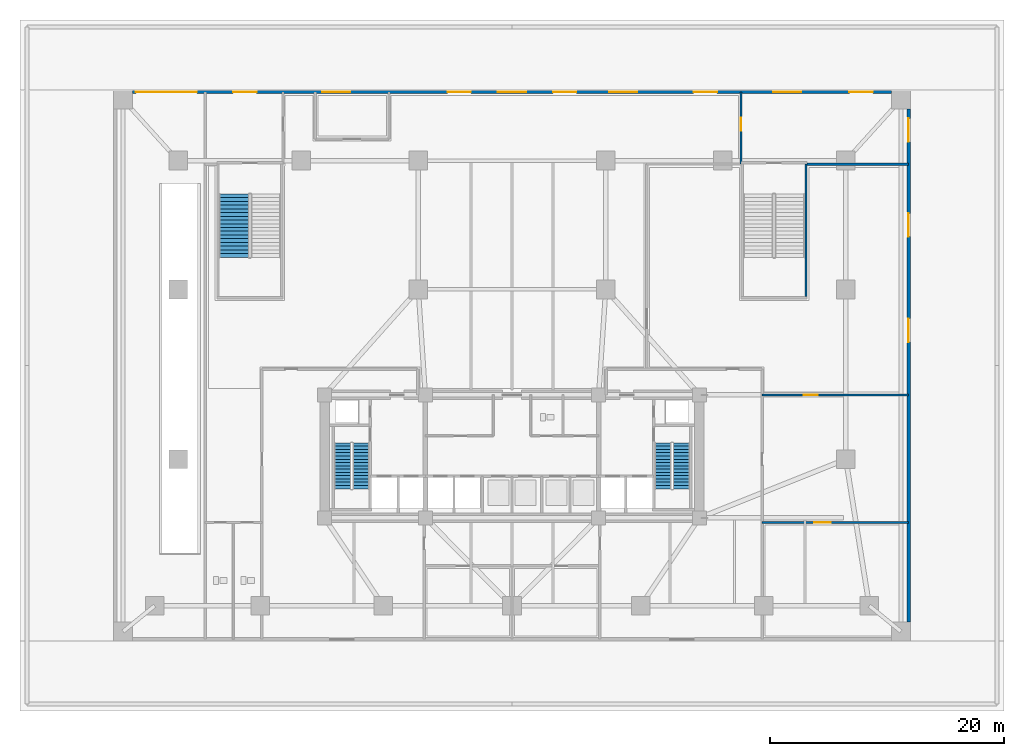
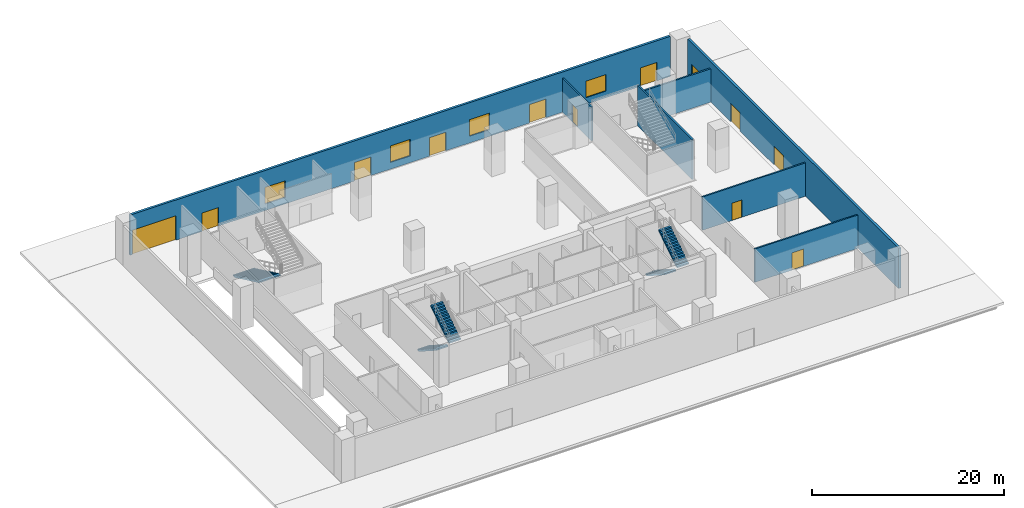
# One storey, part 7 of 15: 12 doors, 7 walls, 5 stair flights, 4 windows, 16 openings, 3 elements without a shape of their own.
"""IFC4 building model written with IfcOpenShell, lengths in metres."""

from ifc_helpers import new_model, si_unit, direction, frame, frame_2d, origin, place, context, subcontext, project, spatial, polyline, rectangle, outline, extrude, material, layer, layer_set, type_object, element, fill, aggregate, save


model = new_model("IFC4")

# Units and contexts
model_context = context("Model", 3, precision=1e-05, world=origin(), true_north=direction((0.0, 1.0)))
body_context = subcontext(model_context, "Body", "Model", "MODEL_VIEW")
ifc_project = project(units=[si_unit("LENGTHUNIT", "METRE"), si_unit("AREAUNIT", "SQUARE_METRE"), si_unit("VOLUMEUNIT", "CUBIC_METRE"), si_unit("PLANEANGLEUNIT", "RADIAN"), si_unit("MASSUNIT", "GRAM", prefix="KILO")], contexts=[model_context])

# Site, building, storey
site_placement = place(None, origin())
site = spatial("IfcSite", under=ifc_project, at=site_placement, CompositionType="ELEMENT")
building_placement = place(site_placement, origin())
building = spatial("IfcBuilding", under=site, at=building_placement, Name="Solmavex Isthmus Hotel", CompositionType="ELEMENT")
storey_placement = place(building_placement, origin())
storey = spatial("IfcBuildingStorey", under=building, at=storey_placement, Name="L01", CompositionType="ELEMENT", Elevation=0.0)

# Wall, openings, doors, windows
ifc_material_1 = material(Name="Precast Concrete C40/50", Category="concrete")
ifc_layer_1 = layer(ifc_material_1, 0.280029296875)
ifc_layer_set_1 = layer_set([ifc_layer_1], Name="Precast Concrete C40/50")
wall_type_1 = type_object("IfcWallType", Name="EW-POD-280", PredefinedType="STANDARD", material=ifc_layer_set_1)
wall_1_placement = place(storey_placement, frame((-32.39990234375, 23.360107421875, 0.0), z_axis=(0.0, 0.0, 1.0), x_axis=(1.0, 0.0, 0.0)))
wall_1 = element("IfcWall", 1, at=wall_1_placement, inside=storey, type_object=wall_type_1, Name="Podium Ground North Arrival Facade Wall", PredefinedType="STANDARD", context=body_context, shape_type="SweptSolid", body=[
    extrude(rectangle(XDim=64.7998046875, YDim=0.280029296875, at=frame_2d((32.39990234375, 0.0))), origin(), (0.0, 0.0, 1.0), 5.10009765625),
])
opening_1_placement = place(wall_1_placement, frame((8.60009765625, 0.0, 0.0)))
opening_1 = element("IfcOpeningElement", 2, at=opening_1_placement, cuts=wall_1, Name="Opening ED-01", PredefinedType="OPENING", context=body_context, shape_type="SweptSolid", body=[
    extrude(rectangle(XDim=2.0, YDim=2.35009765625, at=frame_2d((1.0, 1.175048828125))), frame((0.0, 0.14990234375, 0.0), z_axis=(0.0, -1.0, 0.0), x_axis=(1.0, 0.0, 0.0)), (0.0, 0.0, 1.0), 0.300048828125),
])
opening_2_placement = place(wall_1_placement, frame((26.89990234375, 0.0, 0.0)))
opening_2 = element("IfcOpeningElement", 3, at=opening_2_placement, cuts=wall_1, Name="Opening ED-01", PredefinedType="OPENING", context=body_context, shape_type="SweptSolid", body=[
    extrude(rectangle(XDim=2.0, YDim=2.35009765625, at=frame_2d((1.0, 1.175048828125))), frame((0.0, 0.14990234375, 0.0), z_axis=(0.0, -1.0, 0.0), x_axis=(1.0, 0.0, 0.0)), (0.0, 0.0, 1.0), 0.300048828125),
])
opening_3_placement = place(wall_1_placement, frame((35.89990234375, 0.0, 0.0)))
opening_3 = element("IfcOpeningElement", 4, at=opening_3_placement, cuts=wall_1, Name="Opening ED-01", PredefinedType="OPENING", context=body_context, shape_type="SweptSolid", body=[
    extrude(rectangle(XDim=2.0, YDim=2.35009765625, at=frame_2d((1.0, 1.175048828125))), frame((0.0, 0.14990234375, 0.0), z_axis=(0.0, -1.0, 0.0), x_axis=(1.0, 0.0, 0.0)), (0.0, 0.0, 1.0), 0.300048828125),
])
opening_4_placement = place(wall_1_placement, frame((47.89990234375, 0.0, 0.0)))
opening_4 = element("IfcOpeningElement", 5, at=opening_4_placement, cuts=wall_1, Name="Opening ED-01", PredefinedType="OPENING", context=body_context, shape_type="SweptSolid", body=[
    extrude(rectangle(XDim=2.0, YDim=2.35009765625, at=frame_2d((1.0, 1.175048828125))), frame((0.0, 0.14990234375, 0.0), z_axis=(0.0, -1.0, 0.0), x_axis=(1.0, 0.0, 0.0)), (0.0, 0.0, 1.0), 0.300048828125),
])
opening_5_placement = place(wall_1_placement, frame((61.199951171875, 0.0, 0.0)))
opening_5 = element("IfcOpeningElement", 6, at=opening_5_placement, cuts=wall_1, Name="Opening ED-01", PredefinedType="OPENING", context=body_context, shape_type="SweptSolid", body=[
    extrude(rectangle(XDim=2.0, YDim=2.35009765625, at=frame_2d((1.0, 1.175048828125))), frame((0.0, 0.14990234375, 0.0), z_axis=(0.0, -1.0, 0.0), x_axis=(1.0, 0.0, 0.0)), (0.0, 0.0, 1.0), 0.300048828125),
])
opening_6_placement = place(wall_1_placement, frame((0.300048828125, 0.0, 0.0)))
opening_6 = element("IfcOpeningElement", 7, at=opening_6_placement, cuts=wall_1, Name="Opening VG-01", PredefinedType="OPENING", context=body_context, shape_type="SweptSolid", body=[
    extrude(rectangle(XDim=5.199951171875, YDim=3.10009765625, at=frame_2d((2.60009765625, 1.550048828125))), frame((0.0, 0.14990234375, 0.0), z_axis=(0.0, -1.0, 0.0), x_axis=(1.0, 0.0, 0.0)), (0.0, 0.0, 1.0), 0.300048828125),
])
opening_7_placement = place(wall_1_placement, frame((16.199951171875, 0.0, 0.85009765625)))
opening_7 = element("IfcOpeningElement", 8, at=opening_7_placement, cuts=wall_1, Name="Opening WN-01", PredefinedType="OPENING", context=body_context, shape_type="SweptSolid", body=[
    extrude(rectangle(XDim=2.39990234375, YDim=2.10009765625, at=frame_2d((1.199951171875, 1.050048828125))), frame((0.0, 0.14990234375, 0.0), z_axis=(0.0, -1.0, 0.0), x_axis=(1.0, 0.0, 0.0)), (0.0, 0.0, 1.0), 0.300048828125),
])
opening_8_placement = place(wall_1_placement, frame((31.199951171875, 0.0, 0.85009765625)))
opening_8 = element("IfcOpeningElement", 9, at=opening_8_placement, cuts=wall_1, Name="Opening WN-01", PredefinedType="OPENING", context=body_context, shape_type="SweptSolid", body=[
    extrude(rectangle(XDim=2.39990234375, YDim=2.10009765625, at=frame_2d((1.199951171875, 1.050048828125))), frame((0.0, 0.14990234375, 0.0), z_axis=(0.0, -1.0, 0.0), x_axis=(1.0, 0.0, 0.0)), (0.0, 0.0, 1.0), 0.300048828125),
])
opening_9_placement = place(wall_1_placement, frame((40.699951171875, 0.0, 0.85009765625)))
opening_9 = element("IfcOpeningElement", 10, at=opening_9_placement, cuts=wall_1, Name="Opening WN-01", PredefinedType="OPENING", context=body_context, shape_type="SweptSolid", body=[
    extrude(rectangle(XDim=2.39990234375, YDim=2.10009765625, at=frame_2d((1.199951171875, 1.050048828125))), frame((0.0, 0.14990234375, 0.0), z_axis=(0.0, -1.0, 0.0), x_axis=(1.0, 0.0, 0.0)), (0.0, 0.0, 1.0), 0.300048828125),
])
opening_10_placement = place(wall_1_placement, frame((54.699951171875, 0.0, 0.85009765625)))
opening_10 = element("IfcOpeningElement", 11, at=opening_10_placement, cuts=wall_1, Name="Opening WN-01", PredefinedType="OPENING", context=body_context, shape_type="SweptSolid", body=[
    extrude(rectangle(XDim=2.39990234375, YDim=2.10009765625, at=frame_2d((1.199951171875, 1.050048828125))), frame((0.0, 0.14990234375, 0.0), z_axis=(0.0, -1.0, 0.0), x_axis=(1.0, 0.0, 0.0)), (0.0, 0.0, 1.0), 0.300048828125),
])
ifc_material_2 = material(Name="Aluminium alloy 6063-T6", Category="aluminium")
door_type_1 = type_object("IfcDoorType", Name="EDR-EXIT-2000", OperationType="NOTDEFINED", PredefinedType="DOOR", material=ifc_material_2)
door_1_placement = place(opening_1_placement, origin())
door_1 = element("IfcDoor", 12, at=door_1_placement, inside=storey, type_object=door_type_1, Name="Arrival Plaza Exterior Exit Door N1", OperationType="DOUBLE_DOOR_SINGLE_SWING", OverallHeight=2.35009765625, OverallWidth=2.0, PredefinedType="DOOR", context=body_context, shape_type="SweptSolid", body=[
    extrude(rectangle(XDim=2.0, YDim=2.35009765625, at=frame_2d((1.0, 1.175048828125))), frame((0.0, 0.02490234375, 0.0), z_axis=(0.0, -1.0, 0.0), x_axis=(1.0, 0.0, 0.0)), (0.0, 0.0, 1.0), 0.050048828125),
])
fill(opening_1, door_1)
door_2_placement = place(opening_2_placement, origin())
door_2 = element("IfcDoor", 13, at=door_2_placement, inside=storey, type_object=door_type_1, Name="Arrival Plaza Exterior Exit Door N2", OperationType="DOUBLE_DOOR_SINGLE_SWING", OverallHeight=2.35009765625, OverallWidth=2.0, PredefinedType="DOOR", context=body_context, shape_type="SweptSolid", body=[
    extrude(rectangle(XDim=2.0, YDim=2.35009765625, at=frame_2d((1.0, 1.175048828125))), frame((0.0, 0.02490234375, 0.0), z_axis=(0.0, -1.0, 0.0), x_axis=(1.0, 0.0, 0.0)), (0.0, 0.0, 1.0), 0.050048828125),
])
fill(opening_2, door_2)
door_3_placement = place(opening_3_placement, origin())
door_3 = element("IfcDoor", 14, at=door_3_placement, inside=storey, type_object=door_type_1, Name="Arrival Plaza Exterior Exit Door N3", OperationType="DOUBLE_DOOR_SINGLE_SWING", OverallHeight=2.35009765625, OverallWidth=2.0, PredefinedType="DOOR", context=body_context, shape_type="SweptSolid", body=[
    extrude(rectangle(XDim=2.0, YDim=2.35009765625, at=frame_2d((1.0, 1.175048828125))), frame((0.0, 0.02490234375, 0.0), z_axis=(0.0, -1.0, 0.0), x_axis=(1.0, 0.0, 0.0)), (0.0, 0.0, 1.0), 0.050048828125),
])
fill(opening_3, door_3)
door_4_placement = place(opening_4_placement, origin())
door_4 = element("IfcDoor", 15, at=door_4_placement, inside=storey, type_object=door_type_1, Name="Arrival Plaza Exterior Exit Door N4", OperationType="DOUBLE_DOOR_SINGLE_SWING", OverallHeight=2.35009765625, OverallWidth=2.0, PredefinedType="DOOR", context=body_context, shape_type="SweptSolid", body=[
    extrude(rectangle(XDim=2.0, YDim=2.35009765625, at=frame_2d((1.0, 1.175048828125))), frame((0.0, 0.02490234375, 0.0), z_axis=(0.0, -1.0, 0.0), x_axis=(1.0, 0.0, 0.0)), (0.0, 0.0, 1.0), 0.050048828125),
])
fill(opening_4, door_4)
door_5_placement = place(opening_5_placement, origin())
door_5 = element("IfcDoor", 16, at=door_5_placement, inside=storey, type_object=door_type_1, Name="Arrival Plaza Exterior Exit Door N5", OperationType="DOUBLE_DOOR_SINGLE_SWING", OverallHeight=2.35009765625, OverallWidth=2.0, PredefinedType="DOOR", context=body_context, shape_type="SweptSolid", body=[
    extrude(rectangle(XDim=2.0, YDim=2.35009765625, at=frame_2d((1.0, 1.175048828125))), frame((0.0, 0.02490234375, 0.0), z_axis=(0.0, -1.0, 0.0), x_axis=(1.0, 0.0, 0.0)), (0.0, 0.0, 1.0), 0.050048828125),
])
fill(opening_5, door_5)
ifc_material_3 = material(Name="Steel ASTM A500 Grade C", Category="steel")
door_type_2 = type_object("IfcDoorType", Name="EDR-GATE-5200", OperationType="NOTDEFINED", PredefinedType="GATE", material=ifc_material_3)
door_6_placement = place(opening_6_placement, origin())
door_6 = element("IfcDoor", 17, at=door_6_placement, inside=storey, type_object=door_type_2, Name="Vehicular Car-Park Ramp Roller Shutter Gate VG-01", OperationType="ROLLINGUP", OverallHeight=3.10009765625, OverallWidth=5.199951171875, PredefinedType="GATE", context=body_context, shape_type="SweptSolid", body=[
    extrude(rectangle(XDim=5.199951171875, YDim=3.10009765625, at=frame_2d((2.60009765625, 1.550048828125))), frame((0.0, 0.02490234375, 0.0), z_axis=(0.0, -1.0, 0.0), x_axis=(1.0, 0.0, 0.0)), (0.0, 0.0, 1.0), 0.050048828125),
])
fill(opening_6, door_6)
ifc_material_4 = material(Name="Clear low-E laminated glass", Category="glass")
window_type = type_object("IfcWindowType", Name="WIN-POD-2400", PartitioningType="SINGLE_PANEL", PredefinedType="WINDOW", material=ifc_material_4)
window_1_placement = place(opening_7_placement, origin())
window_1 = element("IfcWindow", 18, at=window_1_placement, inside=storey, type_object=window_type, Name="Podium Arrival Window WN-L01-N1", OverallHeight=2.10009765625, OverallWidth=2.39990234375, PartitioningType="SINGLE_PANEL", PredefinedType="WINDOW", context=body_context, shape_type="SweptSolid", body=[
    extrude(rectangle(XDim=2.39990234375, YDim=2.10009765625, at=frame_2d((1.199951171875, 1.050048828125))), frame((0.0, 0.030029296875, 0.0), z_axis=(0.0, -1.0, 0.0), x_axis=(1.0, 0.0, 0.0)), (0.0, 0.0, 1.0), 0.06005859375),
])
fill(opening_7, window_1)
window_2_placement = place(opening_8_placement, origin())
window_2 = element("IfcWindow", 19, at=window_2_placement, inside=storey, type_object=window_type, Name="Podium Arrival Window WN-L01-N2", OverallHeight=2.10009765625, OverallWidth=2.39990234375, PartitioningType="SINGLE_PANEL", PredefinedType="WINDOW", context=body_context, shape_type="SweptSolid", body=[
    extrude(rectangle(XDim=2.39990234375, YDim=2.10009765625, at=frame_2d((1.199951171875, 1.050048828125))), frame((0.0, 0.030029296875, 0.0), z_axis=(0.0, -1.0, 0.0), x_axis=(1.0, 0.0, 0.0)), (0.0, 0.0, 1.0), 0.06005859375),
])
fill(opening_8, window_2)
window_3_placement = place(opening_9_placement, origin())
window_3 = element("IfcWindow", 20, at=window_3_placement, inside=storey, type_object=window_type, Name="Podium Arrival Window WN-L01-N3", OverallHeight=2.10009765625, OverallWidth=2.39990234375, PartitioningType="SINGLE_PANEL", PredefinedType="WINDOW", context=body_context, shape_type="SweptSolid", body=[
    extrude(rectangle(XDim=2.39990234375, YDim=2.10009765625, at=frame_2d((1.199951171875, 1.050048828125))), frame((0.0, 0.030029296875, 0.0), z_axis=(0.0, -1.0, 0.0), x_axis=(1.0, 0.0, 0.0)), (0.0, 0.0, 1.0), 0.06005859375),
])
fill(opening_9, window_3)
window_4_placement = place(opening_10_placement, origin())
window_4 = element("IfcWindow", 21, at=window_4_placement, inside=storey, type_object=window_type, Name="Podium Arrival Window WN-L01-N4", OverallHeight=2.10009765625, OverallWidth=2.39990234375, PartitioningType="SINGLE_PANEL", PredefinedType="WINDOW", context=body_context, shape_type="SweptSolid", body=[
    extrude(rectangle(XDim=2.39990234375, YDim=2.10009765625, at=frame_2d((1.199951171875, 1.050048828125))), frame((0.0, 0.030029296875, 0.0), z_axis=(0.0, -1.0, 0.0), x_axis=(1.0, 0.0, 0.0)), (0.0, 0.0, 1.0), 0.06005859375),
])
fill(opening_10, window_4)

# Wall, openings, doors
wall_2_placement = place(storey_placement, frame((33.860107421875, -21.89990234375, 0.0), z_axis=(0.0, 0.0, 1.0), x_axis=(0.0, 1.0, 0.0)))
wall_2 = element("IfcWall", 22, at=wall_2_placement, inside=storey, type_object=wall_type_1, Name="Podium Ground East Exterior Wall", PredefinedType="STANDARD", context=body_context, shape_type="SweptSolid", body=[
    extrude(rectangle(XDim=43.7998046875, YDim=0.280029296875, at=frame_2d((21.89990234375, 0.0))), origin(), (0.0, 0.0, 1.0), 5.10009765625),
])
opening_11_placement = place(wall_2_placement, frame((23.89990234375, 0.0, 0.0)))
opening_11 = element("IfcOpeningElement", 23, at=opening_11_placement, cuts=wall_2, Name="Opening ED-01", PredefinedType="OPENING", context=body_context, shape_type="SweptSolid", body=[
    extrude(rectangle(XDim=2.0, YDim=2.35009765625, at=frame_2d((1.0, 1.175048828125))), frame((0.0, 0.14990234375, 0.0), z_axis=(0.0, -1.0, 0.0), x_axis=(1.0, 0.0, 0.0)), (0.0, 0.0, 1.0), 0.300048828125),
])
opening_12_placement = place(wall_2_placement, frame((32.89990234375, 0.0, 0.0)))
opening_12 = element("IfcOpeningElement", 24, at=opening_12_placement, cuts=wall_2, Name="Opening ED-01", PredefinedType="OPENING", context=body_context, shape_type="SweptSolid", body=[
    extrude(rectangle(XDim=2.0, YDim=2.35009765625, at=frame_2d((1.0, 1.175048828125))), frame((0.0, 0.14990234375, 0.0), z_axis=(0.0, -1.0, 0.0), x_axis=(1.0, 0.0, 0.0)), (0.0, 0.0, 1.0), 0.300048828125),
])
opening_13_placement = place(wall_2_placement, frame((41.0, 0.0, 0.0)))
opening_13 = element("IfcOpeningElement", 25, at=opening_13_placement, cuts=wall_2, Name="Opening ED-01", PredefinedType="OPENING", context=body_context, shape_type="SweptSolid", body=[
    extrude(rectangle(XDim=2.0, YDim=2.35009765625, at=frame_2d((1.0, 1.175048828125))), frame((0.0, 0.14990234375, 0.0), z_axis=(0.0, -1.0, 0.0), x_axis=(1.0, 0.0, 0.0)), (0.0, 0.0, 1.0), 0.300048828125),
])
door_7_placement = place(opening_11_placement, frame((2.0, 0.0, 0.0), z_axis=(0.0, 0.0, 1.0), x_axis=(-1.0, 0.0, 0.0)))
door_7 = element("IfcDoor", 26, at=door_7_placement, inside=storey, type_object=door_type_1, Name="East Plaza Exterior Exit Door E1", OperationType="DOUBLE_DOOR_SINGLE_SWING", OverallHeight=2.35009765625, OverallWidth=2.0, PredefinedType="DOOR", context=body_context, shape_type="SweptSolid", body=[
    extrude(rectangle(XDim=2.0, YDim=2.35009765625, at=frame_2d((1.0, 1.175048828125))), frame((0.0, 0.02490234375, 0.0), z_axis=(0.0, -1.0, 0.0), x_axis=(1.0, 0.0, 0.0)), (0.0, 0.0, 1.0), 0.050048828125),
])
fill(opening_11, door_7)
door_8_placement = place(opening_12_placement, frame((2.0, 0.0, 0.0), z_axis=(0.0, 0.0, 1.0), x_axis=(-1.0, 0.0, 0.0)))
door_8 = element("IfcDoor", 27, at=door_8_placement, inside=storey, type_object=door_type_1, Name="East Plaza Exterior Exit Door E2", OperationType="DOUBLE_DOOR_SINGLE_SWING", OverallHeight=2.35009765625, OverallWidth=2.0, PredefinedType="DOOR", context=body_context, shape_type="SweptSolid", body=[
    extrude(rectangle(XDim=2.0, YDim=2.35009765625, at=frame_2d((1.0, 1.175048828125))), frame((0.0, 0.02490234375, 0.0), z_axis=(0.0, -1.0, 0.0), x_axis=(1.0, 0.0, 0.0)), (0.0, 0.0, 1.0), 0.050048828125),
])
fill(opening_12, door_8)
door_9_placement = place(opening_13_placement, frame((2.0, 0.0, 0.0), z_axis=(0.0, 0.0, 1.0), x_axis=(-1.0, 0.0, 0.0)))
door_9 = element("IfcDoor", 28, at=door_9_placement, inside=storey, type_object=door_type_1, Name="East Plaza Exterior Exit Door E3", OperationType="DOUBLE_DOOR_SINGLE_SWING", OverallHeight=2.35009765625, OverallWidth=2.0, PredefinedType="DOOR", context=body_context, shape_type="SweptSolid", body=[
    extrude(rectangle(XDim=2.0, YDim=2.35009765625, at=frame_2d((1.0, 1.175048828125))), frame((0.0, 0.02490234375, 0.0), z_axis=(0.0, -1.0, 0.0), x_axis=(1.0, 0.0, 0.0)), (0.0, 0.0, 1.0), 0.050048828125),
])
fill(opening_13, door_9)

# Wall, opening, door
ifc_material_5 = material(Name="Concrete C40/50", Category="concrete")
ifc_layer_2 = layer(ifc_material_5, 0.179931640625)
ifc_layer_set_2 = layer_set([ifc_layer_2], Name="Concrete C40/50")
wall_type_2 = type_object("IfcWallType", Name="IW-SHAFT-180", PredefinedType="PARTITIONING", material=ifc_layer_set_2)
wall_3_placement = place(storey_placement, frame((21.35009765625, -2.5, 0.0), z_axis=(0.0, 0.0, 1.0), x_axis=(1.0, 0.0, 0.0)))
wall_3 = element("IfcWall", 29, at=wall_3_placement, inside=storey, type_object=wall_type_2, Name="Interior Partition Wall W-L01-DINS", PredefinedType="PARTITIONING", context=body_context, shape_type="SweptSolid", body=[
    extrude(rectangle(XDim=12.510009765625, YDim=0.179931640625, at=frame_2d((6.2548828125, 0.0))), origin(), (0.0, 0.0, 1.0), 4.2294921875),
])
opening_14_placement = place(wall_3_placement, frame((3.550048828125, 0.0, 0.0)))
opening_14 = element("IfcOpeningElement", 30, at=opening_14_placement, cuts=wall_3, Name="Opening ID-C120", PredefinedType="OPENING", context=body_context, shape_type="SweptSolid", body=[
    extrude(rectangle(XDim=1.199951171875, YDim=2.199951171875, at=frame_2d((0.60009765625, 1.10009765625))), frame((0.0, 0.099853515625, 0.0), z_axis=(0.0, -1.0, 0.0), x_axis=(1.0, 0.0, 0.0)), (0.0, 0.0, 1.0), 0.199951171875),
])
ifc_material_6 = material(Name="Hardwood timber", Category="wood")
door_type_3 = type_object("IfcDoorType", Name="IDR-FD60-1200", OperationType="NOTDEFINED", PredefinedType="DOOR", material=ifc_material_6)
door_10_placement = place(opening_14_placement, origin())
door_10 = element("IfcDoor", 31, at=door_10_placement, inside=storey, type_object=door_type_3, Name="Banquet Service Corridor Restaurant Door", OperationType="SINGLE_SWING_LEFT", OverallHeight=2.199951171875, OverallWidth=1.199951171875, PredefinedType="DOOR", context=body_context, shape_type="SweptSolid", body=[
    extrude(rectangle(XDim=1.199951171875, YDim=2.199951171875, at=frame_2d((0.60009765625, 1.10009765625))), frame((0.0, 0.02490234375, 0.0), z_axis=(0.0, -1.0, 0.0), x_axis=(1.0, 0.0, 0.0)), (0.0, 0.0, 1.0), 0.050048828125),
])
fill(opening_14, door_10)

wall_4_placement = place(storey_placement, frame((21.35009765625, -13.39990234375, 0.0), z_axis=(0.0, 0.0, 1.0), x_axis=(1.0, 0.0, 0.0)))
wall_4 = element("IfcWall", 32, at=wall_4_placement, inside=storey, type_object=wall_type_2, Name="Interior Partition Wall W-L01-KIT", PredefinedType="PARTITIONING", context=body_context, shape_type="SweptSolid", body=[
    extrude(rectangle(XDim=12.510009765625, YDim=0.179931640625, at=frame_2d((6.2548828125, 0.0))), origin(), (0.0, 0.0, 1.0), 4.2294921875),
])
opening_15_placement = place(wall_4_placement, frame((4.449951171875, 0.0, 0.0)))
opening_15 = element("IfcOpeningElement", 33, at=opening_15_placement, cuts=wall_4, Name="Opening ID-C140", PredefinedType="OPENING", context=body_context, shape_type="SweptSolid", body=[
    extrude(rectangle(XDim=1.39990234375, YDim=2.199951171875, at=frame_2d((0.699951171875, 1.10009765625))), frame((0.0, 0.099853515625, 0.0), z_axis=(0.0, -1.0, 0.0), x_axis=(1.0, 0.0, 0.0)), (0.0, 0.0, 1.0), 0.199951171875),
])
door_type_4 = type_object("IfcDoorType", Name="IDR-FD60-1400", OperationType="NOTDEFINED", PredefinedType="DOOR", material=ifc_material_3)
door_11_placement = place(opening_15_placement, origin())
door_11 = element("IfcDoor", 34, at=door_11_placement, inside=storey, type_object=door_type_4, Name="Kitchen Service Door", OperationType="DOUBLE_DOOR_SINGLE_SWING", OverallHeight=2.199951171875, OverallWidth=1.39990234375, PredefinedType="DOOR", context=body_context, shape_type="SweptSolid", body=[
    extrude(rectangle(XDim=1.39990234375, YDim=2.199951171875, at=frame_2d((0.699951171875, 1.10009765625))), frame((0.0, 0.02490234375, 0.0), z_axis=(0.0, -1.0, 0.0), x_axis=(1.0, 0.0, 0.0)), (0.0, 0.0, 1.0), 0.050048828125),
])
fill(opening_15, door_11)

# Wall
ifc_layer_3 = layer(ifc_material_5, 0.199951171875)
ifc_layer_set_3 = layer_set([ifc_layer_3], Name="Concrete C40/50")
wall_type_3 = type_object("IfcWallType", Name="IW-SHAFT-200", PredefinedType="PARTITIONING", material=ifc_layer_set_3)
wall_5_placement = place(storey_placement, frame((25.199951171875, 17.199951171875, 0.0), z_axis=(0.0, 0.0, 1.0), x_axis=(1.0, 0.0, 0.0)))
element("IfcWall", 35, at=wall_5_placement, inside=storey, type_object=wall_type_3, Name="Interior Partition Wall W-L01-DINN2", PredefinedType="PARTITIONING", context=body_context, shape_type="SweptSolid", body=[
    extrude(rectangle(XDim=8.66015625, YDim=0.199951171875, at=frame_2d((4.330078125, 0.0))), origin(), (0.0, 0.0, 1.0), 4.2294921875),
])

# Wall, opening, door
wall_6_placement = place(storey_placement, frame((19.550048828125, 17.199951171875, 0.0), z_axis=(0.0, 0.0, 1.0), x_axis=(0.0, 1.0, 0.0)))
wall_6 = element("IfcWall", 36, at=wall_6_placement, inside=storey, type_object=wall_type_3, Name="Interior Partition Wall W-L01-EXP3-W", PredefinedType="PARTITIONING", context=body_context, shape_type="SweptSolid", body=[
    extrude(rectangle(XDim=6.16015625, YDim=0.199951171875, at=frame_2d((3.080078125, 0.0))), origin(), (0.0, 0.0, 1.0), 4.311767578125),
])
opening_16_placement = place(wall_6_placement, frame((2.824951171875, 0.0, 0.0)))
opening_16 = element("IfcOpeningElement", 37, at=opening_16_placement, cuts=wall_6, Name="Opening ID-F115", PredefinedType="OPENING", context=body_context, shape_type="SweptSolid", body=[
    extrude(rectangle(XDim=1.14990234375, YDim=2.199951171875, at=frame_2d((0.574951171875, 1.10009765625))), frame((0.0, 0.10986328125, 0.0), z_axis=(0.0, -1.0, 0.0), x_axis=(1.0, 0.0, 0.0)), (0.0, 0.0, 1.0), 0.219970703125),
])
door_type_5 = type_object("IfcDoorType", Name="IDR-FD90-1150", OperationType="NOTDEFINED", PredefinedType="DOOR", material=ifc_material_3)
door_12_placement = place(opening_16_placement, origin())
door_12 = element("IfcDoor", 38, at=door_12_placement, inside=storey, type_object=door_type_5, Name="Protected Exit Passageway ST-3 Atrium Door", OperationType="SINGLE_SWING_RIGHT", OverallHeight=2.199951171875, OverallWidth=1.14990234375, PredefinedType="DOOR", context=body_context, shape_type="SweptSolid", body=[
    extrude(rectangle(XDim=1.14990234375, YDim=2.199951171875, at=frame_2d((0.574951171875, 1.10009765625))), frame((0.0, 0.02490234375, 0.0), z_axis=(0.0, -1.0, 0.0), x_axis=(1.0, 0.0, 0.0)), (0.0, 0.0, 1.0), 0.050048828125),
])
fill(opening_16, door_12)

# Wall
ifc_layer_4 = layer(ifc_material_5, 0.199951171875)
ifc_layer_set_4 = layer_set([ifc_layer_4], Name="Concrete C40/50")
wall_type_4 = type_object("IfcWallType", Name="WALL-SW-200", PredefinedType="SOLIDWALL", material=ifc_layer_set_4)
wall_7_placement = place(storey_placement, frame((25.10009765625, 5.89990234375, 0.0), z_axis=(0.0, 0.0, 1.0), x_axis=(0.0, 1.0, 0.0)))
element("IfcWall", 39, at=wall_7_placement, inside=storey, type_object=wall_type_4, Name="Stairwell Structural Wall SW-L01-ST3-E", PredefinedType="SOLIDWALL", context=body_context, shape_type="SweptSolid", body=[
    extrude(rectangle(XDim=11.300048828125, YDim=0.199951171875, at=frame_2d((5.64990234375, 0.0))), origin(), (0.0, 0.0, 1.0), 5.10009765625),
])

# Stair, stair flights
stair_type_1 = type_object("IfcStairType", Name="STR-ST-1", PredefinedType="HALF_TURN_STAIR", material=ifc_material_5)
stair_1_placement = place(storey_placement, origin())
stair_1 = element("IfcStair", 40, at=stair_1_placement, inside=storey, type_object=stair_type_1, Name="L01 Protected Exit Stair ST-1", PredefinedType="HALF_TURN_STAIR")
stair_flight_type_1 = type_object("IfcStairFlightType", Name="SFL-ST-1", PredefinedType="STRAIGHT", material=ifc_material_5)
stair_flight_1_placement = place(storey_placement, frame((-14.449951171875, -6.60009765625, 0.0), z_axis=(0.0, 0.0, 1.0), x_axis=(0.0, -1.0, 0.0)))
stair_flight_1 = element("IfcStairFlight", 41, at=stair_flight_1_placement, type_object=stair_flight_type_1, Name="ST-1 flight 1", NumberOfRisers=15, NumberOfTreads=14, PredefinedType="STRAIGHT", RiserHeight=0.18, TreadLength=0.28, context=body_context, shape_type="SweptSolid", body=[
    extrude(outline(polyline([(0.0, 0.0), (0.0, 0.179931640625), (0.280029296875, 0.179931640625), (0.280029296875, 0.360107421875), (0.56005859375, 0.360107421875), (0.56005859375, 0.5400390625), (0.840087890625, 0.5400390625), (0.840087890625, 0.719970703125), (1.1201171875, 0.719970703125), (1.1201171875, 0.89990234375), (1.39990234375, 0.89990234375), (1.39990234375, 1.080078125), (1.679931640625, 1.080078125), (1.679931640625, 1.260009765625), (1.9599609375, 1.260009765625), (1.9599609375, 1.43994140625), (2.239990234375, 1.43994140625), (2.239990234375, 1.6201171875), (2.52001953125, 1.6201171875), (2.52001953125, 1.800048828125), (2.800048828125, 1.800048828125), (2.800048828125, 1.97998046875), (3.080078125, 1.97998046875), (3.080078125, 2.159912109375), (3.360107421875, 2.159912109375), (3.360107421875, 2.340087890625), (3.639892578125, 2.340087890625), (3.639892578125, 2.52001953125), (3.919921875, 2.52001953125), (3.919921875, 2.699951171875), (3.919921875, 2.341796875), (0.277099609375, 0.0), (0.0, 0.0)])), frame((0.0, 0.699951171875, 0.0), z_axis=(0.0, -1.0, 0.0), x_axis=(1.0, 0.0, 0.0)), (0.0, 0.0, 1.0), 1.39990234375),
])
stair_flight_2_placement = place(storey_placement, frame((-12.89990234375, -10.52001953125, 2.699951171875), z_axis=(0.0, 0.0, 1.0), x_axis=(0.0, 1.0, 0.0)))
stair_flight_2 = element("IfcStairFlight", 42, at=stair_flight_2_placement, type_object=stair_flight_type_1, Name="ST-1 flight 2", NumberOfRisers=15, NumberOfTreads=14, PredefinedType="STRAIGHT", RiserHeight=0.18, TreadLength=0.28, context=body_context, shape_type="SweptSolid", body=[
    extrude(outline(polyline([(0.0, 0.0), (0.0, 0.179931640625), (0.280029296875, 0.179931640625), (0.280029296875, 0.360107421875), (0.56005859375, 0.360107421875), (0.56005859375, 0.5400390625), (0.840087890625, 0.5400390625), (0.840087890625, 0.719970703125), (1.1201171875, 0.719970703125), (1.1201171875, 0.89990234375), (1.39990234375, 0.89990234375), (1.39990234375, 1.080078125), (1.679931640625, 1.080078125), (1.679931640625, 1.260009765625), (1.9599609375, 1.260009765625), (1.9599609375, 1.43994140625), (2.239990234375, 1.43994140625), (2.239990234375, 1.6201171875), (2.52001953125, 1.6201171875), (2.52001953125, 1.800048828125), (2.800048828125, 1.800048828125), (2.800048828125, 1.97998046875), (3.080078125, 1.97998046875), (3.080078125, 2.159912109375), (3.360107421875, 2.159912109375), (3.360107421875, 2.340087890625), (3.639892578125, 2.340087890625), (3.639892578125, 2.52001953125), (3.919921875, 2.52001953125), (3.919921875, 2.699951171875), (3.919921875, 2.341796875), (0.277099609375, 0.0), (0.0, 0.0)])), frame((0.0, 0.699951171875, 0.0), z_axis=(0.0, -1.0, 0.0), x_axis=(1.0, 0.0, 0.0)), (0.0, 0.0, 1.0), 1.39990234375),
])
aggregate(stair_1, [stair_flight_1, stair_flight_2])

stair_type_2 = type_object("IfcStairType", Name="STR-ST-2", PredefinedType="HALF_TURN_STAIR", material=ifc_material_5)
stair_2_placement = place(storey_placement, origin())
stair_2 = element("IfcStair", 43, at=stair_2_placement, inside=storey, type_object=stair_type_2, Name="L01 Protected Exit Stair ST-2", PredefinedType="HALF_TURN_STAIR")
stair_flight_type_2 = type_object("IfcStairFlightType", Name="SFL-ST-2", PredefinedType="STRAIGHT", material=ifc_material_5)
stair_flight_3_placement = place(storey_placement, frame((12.89990234375, -6.60009765625, 0.0), z_axis=(0.0, 0.0, 1.0), x_axis=(0.0, -1.0, 0.0)))
stair_flight_3 = element("IfcStairFlight", 44, at=stair_flight_3_placement, type_object=stair_flight_type_2, Name="ST-2 flight 1", NumberOfRisers=15, NumberOfTreads=14, PredefinedType="STRAIGHT", RiserHeight=0.18, TreadLength=0.28, context=body_context, shape_type="SweptSolid", body=[
    extrude(outline(polyline([(0.0, 0.0), (0.0, 0.179931640625), (0.280029296875, 0.179931640625), (0.280029296875, 0.360107421875), (0.56005859375, 0.360107421875), (0.56005859375, 0.5400390625), (0.840087890625, 0.5400390625), (0.840087890625, 0.719970703125), (1.1201171875, 0.719970703125), (1.1201171875, 0.89990234375), (1.39990234375, 0.89990234375), (1.39990234375, 1.080078125), (1.679931640625, 1.080078125), (1.679931640625, 1.260009765625), (1.9599609375, 1.260009765625), (1.9599609375, 1.43994140625), (2.239990234375, 1.43994140625), (2.239990234375, 1.6201171875), (2.52001953125, 1.6201171875), (2.52001953125, 1.800048828125), (2.800048828125, 1.800048828125), (2.800048828125, 1.97998046875), (3.080078125, 1.97998046875), (3.080078125, 2.159912109375), (3.360107421875, 2.159912109375), (3.360107421875, 2.340087890625), (3.639892578125, 2.340087890625), (3.639892578125, 2.52001953125), (3.919921875, 2.52001953125), (3.919921875, 2.699951171875), (3.919921875, 2.341796875), (0.277099609375, 0.0), (0.0, 0.0)])), frame((0.0, 0.699951171875, 0.0), z_axis=(0.0, -1.0, 0.0), x_axis=(1.0, 0.0, 0.0)), (0.0, 0.0, 1.0), 1.39990234375),
])
stair_flight_4_placement = place(storey_placement, frame((14.449951171875, -10.52001953125, 2.699951171875), z_axis=(0.0, 0.0, 1.0), x_axis=(0.0, 1.0, 0.0)))
stair_flight_4 = element("IfcStairFlight", 45, at=stair_flight_4_placement, type_object=stair_flight_type_2, Name="ST-2 flight 2", NumberOfRisers=15, NumberOfTreads=14, PredefinedType="STRAIGHT", RiserHeight=0.18, TreadLength=0.28, context=body_context, shape_type="SweptSolid", body=[
    extrude(outline(polyline([(0.0, 0.0), (0.0, 0.179931640625), (0.280029296875, 0.179931640625), (0.280029296875, 0.360107421875), (0.56005859375, 0.360107421875), (0.56005859375, 0.5400390625), (0.840087890625, 0.5400390625), (0.840087890625, 0.719970703125), (1.1201171875, 0.719970703125), (1.1201171875, 0.89990234375), (1.39990234375, 0.89990234375), (1.39990234375, 1.080078125), (1.679931640625, 1.080078125), (1.679931640625, 1.260009765625), (1.9599609375, 1.260009765625), (1.9599609375, 1.43994140625), (2.239990234375, 1.43994140625), (2.239990234375, 1.6201171875), (2.52001953125, 1.6201171875), (2.52001953125, 1.800048828125), (2.800048828125, 1.800048828125), (2.800048828125, 1.97998046875), (3.080078125, 1.97998046875), (3.080078125, 2.159912109375), (3.360107421875, 2.159912109375), (3.360107421875, 2.340087890625), (3.639892578125, 2.340087890625), (3.639892578125, 2.52001953125), (3.919921875, 2.52001953125), (3.919921875, 2.699951171875), (3.919921875, 2.341796875), (0.277099609375, 0.0), (0.0, 0.0)])), frame((0.0, 0.699951171875, 0.0), z_axis=(0.0, -1.0, 0.0), x_axis=(1.0, 0.0, 0.0)), (0.0, 0.0, 1.0), 1.39990234375),
])
aggregate(stair_2, [stair_flight_3, stair_flight_4])

# Stair, stair flight
stair_type_3 = type_object("IfcStairType", Name="STR-ST-4", PredefinedType="HALF_TURN_STAIR", material=ifc_material_5)
stair_3_placement = place(storey_placement, origin())
stair_3 = element("IfcStair", 46, at=stair_3_placement, inside=storey, type_object=stair_type_3, Name="L01 Podium Assembly Exit Stair ST-4", PredefinedType="HALF_TURN_STAIR")
stair_flight_type_3 = type_object("IfcStairFlightType", Name="SFL-ST-4", PredefinedType="STRAIGHT", material=ifc_material_5)
stair_flight_5_placement = place(storey_placement, frame((-23.72509765625, 14.64990234375, 0.0), z_axis=(0.0, 0.0, 1.0), x_axis=(0.0, -1.0, 0.0)))
stair_flight_5 = element("IfcStairFlight", 47, at=stair_flight_5_placement, type_object=stair_flight_type_3, Name="ST-4 flight 1", NumberOfRisers=18, NumberOfTreads=17, PredefinedType="STRAIGHT", RiserHeight=0.15, TreadLength=0.318, context=body_context, shape_type="SweptSolid", body=[
    extrude(outline(polyline([(0.0, 0.0), (0.0, 0.14990234375), (0.318115234375, 0.14990234375), (0.318115234375, 0.300048828125), (0.635986328125, 0.300048828125), (0.635986328125, 0.449951171875), (0.9541015625, 0.449951171875), (0.9541015625, 0.60009765625), (1.27197265625, 0.60009765625), (1.27197265625, 0.75), (1.590087890625, 0.75), (1.590087890625, 0.89990234375), (1.907958984375, 0.89990234375), (1.907958984375, 1.050048828125), (2.22607421875, 1.050048828125), (2.22607421875, 1.199951171875), (2.5439453125, 1.199951171875), (2.5439453125, 1.35009765625), (2.862060546875, 1.35009765625), (2.862060546875, 1.5), (3.179931640625, 1.5), (3.179931640625, 1.64990234375), (3.498046875, 1.64990234375), (3.498046875, 1.800048828125), (3.81591796875, 1.800048828125), (3.81591796875, 1.949951171875), (4.134033203125, 1.949951171875), (4.134033203125, 2.10009765625), (4.451904296875, 2.10009765625), (4.451904296875, 2.25), (4.77001953125, 2.25), (4.77001953125, 2.39990234375), (5.087890625, 2.39990234375), (5.087890625, 2.550048828125), (5.406005859375, 2.550048828125), (5.406005859375, 2.699951171875), (5.406005859375, 2.38427734375), (0.351318359375, 0.0), (0.0, 0.0)])), frame((0.0, 1.27490234375, 0.0), z_axis=(0.0, -1.0, 0.0), x_axis=(1.0, 0.0, 0.0)), (0.0, 0.0, 1.0), 2.550048828125),
])
aggregate(stair_3, [stair_flight_5])

save(model, "model.ifc")
